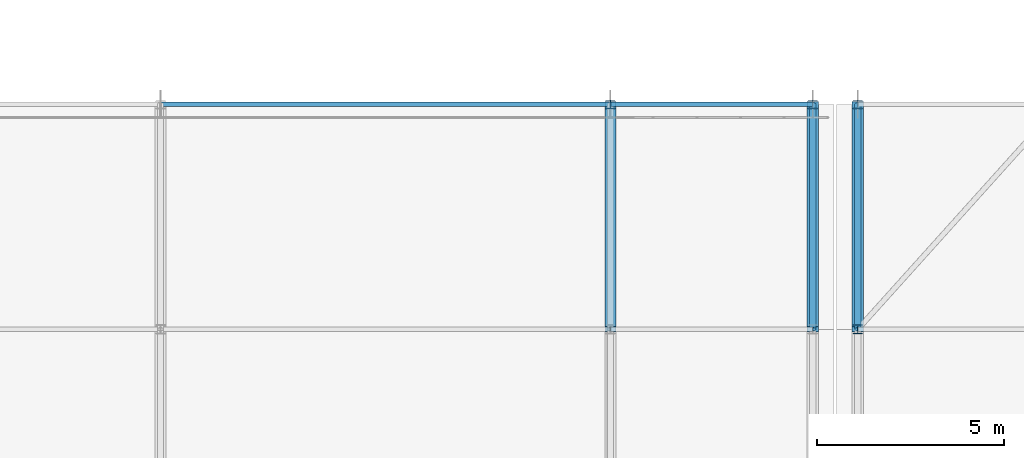
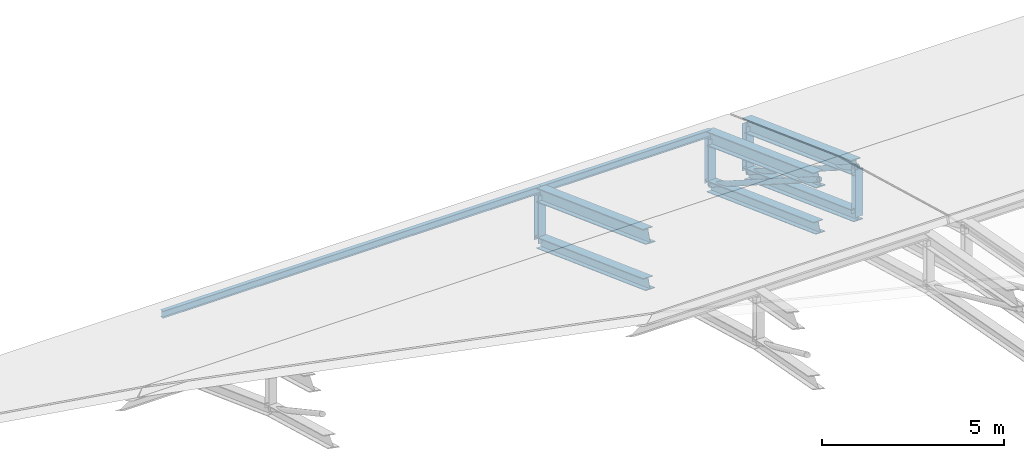
# One storey, part 46 of 204: 14 members.
"""IFC4 building model written with IfcOpenShell, lengths in metres."""

import ifcopenshell
import ifcopenshell.guid

model = None  # the IFC model being written
_history = None  # IfcOwnerHistory: only IFC2X3 demands one
_inside = {}  # id of a spatial element -> (the spatial element, [elements in it])
_under = {}  # id of a project, library or spatial element -> (it, [spatial elements below it])
_declared = {}  # id of a project -> (the project, [libraries it declares])
_typed = {}  # id of a type object -> (the type object, [elements of that type])
_made_of = {}  # id of a material, layer set ... -> (it, [elements and type objects made of it])


def new_model(schema):
    """Start an empty IFC model of exactly this schema.

    Asked for "IFC4X3", IfcOpenShell would pick the latest addendum, in which some entities
    have other attributes; the version numbers below select the first issue.
    IFC2X3 requires an IfcOwnerHistory on every rooted entity: one is made here for all.
    """
    global model, _history
    if schema == "IFC4X3":
        model = ifcopenshell.file(schema_version=(4, 3, 0, 0))
    else:
        model = ifcopenshell.file(schema=schema)
    _inside.clear()
    _under.clear()
    _declared.clear()
    _typed.clear()
    _made_of.clear()
    _history = None
    if model.schema == "IFC2X3":
        org = make("IfcOrganization", Name="unknown")
        user = make(
            "IfcPersonAndOrganization",
            ThePerson=make("IfcPerson", FamilyName="unknown"),
            TheOrganization=org,
        )
        app = make(
            "IfcApplication",
            ApplicationDeveloper=org,
            Version="unknown",
            ApplicationFullName="unknown",
            ApplicationIdentifier="unknown",
        )
        _history = make(
            "IfcOwnerHistory",
            OwningUser=user,
            OwningApplication=app,
            ChangeAction="ADDED",
            CreationDate=0,
        )
    return model


def make(cls, **values):
    """One entity of the class cls with the attributes given. An attribute that is None is left unset."""
    return model.create_entity(
        cls, **{name: value for name, value in values.items() if value is not None}
    )


def rooted(cls, **values):
    """An entity with a GlobalId (a new one), such as an element, a storey or a relation."""
    return make(cls, GlobalId=ifcopenshell.guid.new(), OwnerHistory=_history, **values)


def si_unit(unit_type, name, prefix=None):
    """IfcSIUnit, for example si_unit("LENGTHUNIT", "METRE", prefix="MILLI")."""
    return make("IfcSIUnit", UnitType=unit_type, Prefix=prefix, Name=name)


def assignment(units):
    """IfcUnitAssignment: the units of a project."""
    return None if units is None else make("IfcUnitAssignment", Units=units)


def point(xyz):
    """IfcCartesianPoint."""
    return None if xyz is None else make("IfcCartesianPoint", Coordinates=xyz)


def direction(xyz):
    """IfcDirection."""
    return None if xyz is None else make("IfcDirection", DirectionRatios=xyz)


def frame(location, z_axis=None, x_axis=None):
    """IfcAxis2Placement3D, a coordinate frame: its origin and axes. An axis left out is left unset."""
    return make(
        "IfcAxis2Placement3D",
        Location=point(location),
        Axis=direction(z_axis),
        RefDirection=direction(x_axis),
    )


def frame_2d(location, x_axis=None):
    """IfcAxis2Placement2D, a coordinate frame in the plane: its origin and x axis."""
    return make(
        "IfcAxis2Placement2D", Location=point(location), RefDirection=direction(x_axis)
    )


def origin():
    """The frame at (0, 0, 0) with its axes left unset."""
    return frame((0.0, 0.0, 0.0))


def origin_2d():
    """The frame at (0, 0) in the plane with its x axis left unset."""
    return frame_2d((0.0, 0.0))


def place(relative_to, where):
    """IfcLocalPlacement: puts the frame where relative to a parent placement (None: the world)."""
    return make(
        "IfcLocalPlacement", PlacementRelTo=relative_to, RelativePlacement=where
    )


def context(
    kind, dimensions, precision=None, world=None, true_north=None, identifier=None
):
    """IfcGeometricRepresentationContext, for example the 3D "Model" context."""
    return make(
        "IfcGeometricRepresentationContext",
        ContextIdentifier=identifier,
        ContextType=kind,
        CoordinateSpaceDimension=dimensions,
        Precision=precision,
        WorldCoordinateSystem=world,
        TrueNorth=true_north,
    )


def subcontext(parent, identifier, kind, view, scale=None):
    """IfcGeometricRepresentationSubContext, for example "Body" below "Model"."""
    return make(
        "IfcGeometricRepresentationSubContext",
        ContextIdentifier=identifier,
        ContextType=kind,
        ParentContext=parent,
        TargetScale=scale,
        TargetView=view,
    )


def project(units=None, contexts=None):
    """IfcProject with its units and contexts."""
    return rooted(
        "IfcProject",
        Name="project",
        RepresentationContexts=contexts,
        UnitsInContext=assignment(units),
    )


def spatial(cls, under=None, at=None, **own):
    """A site, building, storey or space (cls), placed at a placement, below another one or the project."""
    s = rooted(cls, ObjectPlacement=at, **own)
    if under is not None:
        _under.setdefault(under.id(), (under, []))[1].append(s)
    return s


def profile(cls, at=None, kind="AREA", **sizes):
    """A parametric profile (cls). Its sizes go by their IFC names, for example OverallWidth=200.0."""
    return make(cls, ProfileType=kind, Position=at, **sizes)


def hollow_circle(**sizes):
    """IfcCircleHollowProfileDef."""
    return profile("IfcCircleHollowProfileDef", **sizes)


def i_section(**sizes):
    """IfcIShapeProfileDef."""
    return profile("IfcIShapeProfileDef", **sizes)


def extrude(swept, where, along, depth):
    """IfcExtrudedAreaSolid: the profile swept, set in the frame where, extruded along a direction by depth."""
    return make(
        "IfcExtrudedAreaSolid",
        SweptArea=swept,
        Position=where,
        ExtrudedDirection=direction(along),
        Depth=depth,
    )


def shape(context_of_items, identifier, shape_type, items):
    """IfcShapeRepresentation: the items that make up one representation, for example the "Body"."""
    return make(
        "IfcShapeRepresentation",
        ContextOfItems=context_of_items,
        RepresentationIdentifier=identifier,
        RepresentationType=shape_type,
        Items=items,
    )


def material(Name=None, Category=None):
    """IfcMaterial."""
    return make("IfcMaterial", Name=Name, Category=Category)


def material_profile(
    of_material, cross_section, Name=None, Category=None, Priority=None
):
    """IfcMaterialProfile: a cross section and its material."""
    return make(
        "IfcMaterialProfile",
        Name=Name,
        Material=of_material,
        Profile=cross_section,
        Priority=Priority,
        Category=Category,
    )


def profile_set(profiles, Name=None, composite=None):
    """IfcMaterialProfileSet."""
    return make(
        "IfcMaterialProfileSet",
        Name=Name,
        MaterialProfiles=profiles,
        CompositeProfile=composite,
    )


def made_of(thing, what):
    """Note that an element or type object is made of a material, layer set ...; save() writes the relation."""
    if what is not None:
        _made_of.setdefault(what.id(), (what, []))[1].append(thing)
    return thing


def type_object(cls, material=None, **own):
    """A type object (cls), such as IfcWallType, which elements share."""
    return made_of(rooted(cls, **own), material)


def element(
    cls,
    number,
    at=None,
    inside=None,
    cuts=None,
    type_object=None,
    material=None,
    context=None,
    identifier="Body",
    shape_type=None,
    held_by="IfcProductDefinitionShape",
    body=None,
    shapes=None,
    **own,
):
    """One element of the class cls, such as IfcWall. Its Tag is "e" and its number.

    at: its placement. inside: the storey or other place that contains it. cuts: it is an
    opening in that element (IfcRelVoidsElement). A single representation is given by context,
    identifier, shape_type and body (its items); several are given by shapes. held_by: the class
    of the entity that holds the representations. save() writes the other relations.
    """
    e = rooted(cls, Tag="e%d" % number, ObjectPlacement=at, **own)
    if body is not None:
        shapes = [shape(context, identifier, shape_type, body)]
    if shapes is not None:
        e.Representation = make(held_by, Representations=shapes)
    if inside is not None:
        _inside.setdefault(inside.id(), (inside, []))[1].append(e)
    if cuts is not None:
        rooted(
            "IfcRelVoidsElement", RelatingBuildingElement=cuts, RelatedOpeningElement=e
        )
    if type_object is not None:
        _typed.setdefault(type_object.id(), (type_object, []))[1].append(e)
    return made_of(e, material)


def aggregate(whole, parts):
    """IfcRelAggregates: a whole, such as a stair, and the parts it consists of."""
    return rooted("IfcRelAggregates", RelatingObject=whole, RelatedObjects=parts)


def save(model, path):
    """Write the relations noted so far, then the file.

    IfcRelAggregates (storeys below a building ...), IfcRelContainedInSpatialStructure (elements
    in a storey), IfcRelDefinesByType, IfcRelAssociatesMaterial and IfcRelDeclares: one each for
    every whole, place, type object, material and project.
    """
    for whole, parts in _under.values():
        aggregate(whole, parts)
    for where, things in _inside.values():
        rooted(
            "IfcRelContainedInSpatialStructure",
            RelatedElements=things,
            RelatingStructure=where,
        )
    for kind, things in _typed.values():
        rooted("IfcRelDefinesByType", RelatedObjects=things, RelatingType=kind)
    for what, things in _made_of.values():
        rooted("IfcRelAssociatesMaterial", RelatedObjects=things, RelatingMaterial=what)
    for by, libraries in _declared.values():
        rooted("IfcRelDeclares", RelatingContext=by, RelatedDefinitions=libraries)
    model.write(path)


model = new_model("IFC4")

# Units and contexts
model_context = context("Model", 3, precision=1e-05, world=origin(), true_north=direction((0.0, 1.0)))
body_context = subcontext(model_context, "Body", "Model", "MODEL_VIEW")
ifc_project = project(units=[si_unit("LENGTHUNIT", "METRE"), si_unit("AREAUNIT", "SQUARE_METRE"), si_unit("VOLUMEUNIT", "CUBIC_METRE"), si_unit("PLANEANGLEUNIT", "RADIAN"), si_unit("MASSUNIT", "GRAM", prefix="KILO")], contexts=[model_context])

# Site, building, storey
site_placement = place(None, origin())
site = spatial("IfcSite", under=ifc_project, at=site_placement, CompositionType="ELEMENT")
building_placement = place(site_placement, origin())
building = spatial("IfcBuilding", under=site, at=building_placement, Name="Zilviju Railside Exhibition Hall", CompositionType="ELEMENT")
storey_placement = place(building_placement, frame((0.0, 0.0, 21.0)))
storey = spatial("IfcBuildingStorey", under=building, at=storey_placement, Name="RF", CompositionType="ELEMENT", Elevation=21.0)

# Members
ifc_material = material(Name="Steel S355J2", Category="steel")
ifc_material_profile_1 = material_profile(ifc_material, hollow_circle(Radius=0.084228515625, WallThickness=0.008056640625, at=origin_2d()), Name="CHS 168.3x8.0")
ifc_profile_set_1 = profile_set([ifc_material_profile_1], Name="Steel S355J2")
member_type_1 = type_object("IfcMemberType", Name="TR-BR-CHS168", PredefinedType="BRACE", material=ifc_profile_set_1)
for number, where, z_axis, x_axis, name in (
    (1, (125.39990234375, 48.0, -3.987548828125), (0.0, 0.844023315733, -0.536306481872), (-1.0, 0.0, 0.0), "V1 Parabolic Arch Web Diagonal X=125.4 P9"),
    (2, (126.60009765625, 48.0, -3.987548828125), (0.0, 0.844023315733, -0.536306481872), (-1.0, 0.0, 0.0), "V1 Parabolic Arch Web Diagonal X=126.6 P9"),
):
    element("IfcMember", number, at=place(storey_placement, frame(where, z_axis=z_axis, x_axis=x_axis)), inside=storey, type_object=member_type_1, Name=name, PredefinedType="BRACE", context=body_context, shape_type="SweptSolid", body=[
        extrude(hollow_circle(Radius=0.084228515625, WallThickness=0.008056640625, at=origin_2d()), origin(), (0.0, 0.0, 1.0), 7.10888671875),
    ])
ifc_material_profile_2 = material_profile(ifc_material, i_section(OverallWidth=0.300048828125, OverallDepth=0.360107421875, WebThickness=0.012451171875, FlangeThickness=0.0224609375, at=origin_2d()), Name="HEB 360")
ifc_profile_set_2 = profile_set([ifc_material_profile_2], Name="Steel S355J2")
member_type_2 = type_object("IfcMemberType", Name="TR-CH-HEB360", PredefinedType="CHORD", material=ifc_profile_set_2)
for number, where, z_axis, x_axis, name in (
    (3, (120.0, 48.0, -5.587646484375), (0.0, 0.938247917098, -0.345963648468), (-1.0, 0.0, 0.0), "V1 Parabolic Arch Bottom Chord X=120.0 P9"),
    (4, (125.39990234375, 48.0, -5.587646484375), (0.0, 0.938247917098, -0.345963648468), (-1.0, 0.0, 0.0), "V1 Parabolic Arch Bottom Chord X=125.4 P9"),
    (5, (126.60009765625, 48.0, -5.587646484375), (0.0, 0.938247917098, -0.345963648468), (-1.0, 0.0, 0.0), "V1 Parabolic Arch Bottom Chord X=126.6 P9"),
):
    element("IfcMember", number, at=place(storey_placement, frame(where, z_axis=z_axis, x_axis=x_axis)), inside=storey, type_object=member_type_2, Name=name, PredefinedType="CHORD", context=body_context, shape_type="SweptSolid", body=[
        extrude(i_section(OverallWidth=0.300048828125, OverallDepth=0.360107421875, WebThickness=0.012451171875, FlangeThickness=0.0224609375, at=origin_2d()), origin(), (0.0, 0.0, 1.0), 6.39501953125),
    ])
ifc_material_profile_3 = material_profile(ifc_material, i_section(OverallWidth=0.300048828125, OverallDepth=0.449951171875, WebThickness=0.013916015625, FlangeThickness=0.02587890625, at=origin_2d()), Name="HEB 450")
ifc_profile_set_3 = profile_set([ifc_material_profile_3], Name="Steel S355J2")
member_type_3 = type_object("IfcMemberType", Name="TR-CH-HEB450", PredefinedType="CHORD", material=ifc_profile_set_3)
for number, where, z_axis, x_axis, name in (
    (6, (120.0, 48.0, -3.987548828125), (0.0, 0.938247917098, -0.345963648468), (-1.0, 0.0, 0.0), "V1 Parabolic Arch Top Chord X=120.0 P9"),
    (7, (125.39990234375, 48.0, -3.987548828125), (0.0, 0.938247917098, -0.345963648468), (-1.0, 0.0, 0.0), "V1 Parabolic Arch Top Chord X=125.4 P9"),
    (8, (126.60009765625, 48.0, -3.987548828125), (0.0, 0.938247917098, -0.345963648468), (-1.0, 0.0, 0.0), "V1 Parabolic Arch Top Chord X=126.6 P9"),
):
    element("IfcMember", number, at=place(storey_placement, frame(where, z_axis=z_axis, x_axis=x_axis)), inside=storey, type_object=member_type_3, Name=name, PredefinedType="CHORD", context=body_context, shape_type="SweptSolid", body=[
        extrude(i_section(OverallWidth=0.300048828125, OverallDepth=0.449951171875, WebThickness=0.013916015625, FlangeThickness=0.02587890625, at=origin_2d()), origin(), (0.0, 0.0, 1.0), 6.39501953125),
    ])
ifc_material_profile_4 = material_profile(ifc_material, i_section(OverallWidth=0.239990234375, OverallDepth=0.22998046875, WebThickness=0.007568359375, FlangeThickness=0.011962890625, at=origin_2d()), Name="HEA 240")
ifc_profile_set_4 = profile_set([ifc_material_profile_4], Name="Steel S355J2")
member_type_4 = type_object("IfcMemberType", Name="TR-POST-HEA240", PredefinedType="POST", material=ifc_profile_set_4)
for number, where, z_axis, x_axis, name in (
    (9, (120.0, 54.0, -7.800048828125), (0.0, 0.0, 1.0), (1.0, 0.0, 0.0), "V1 Parabolic Arch Web Post X=120.0 N9"),
    (10, (125.39990234375, 54.0, -7.800048828125), (0.0, 0.0, 1.0), (1.0, 0.0, 0.0), "V1 Parabolic Arch Web Post X=125.4 N9"),
    (11, (126.60009765625, 48.0, -5.587646484375), (0.0, 0.0, 1.0), (1.0, 0.0, 0.0), "V1 Parabolic Arch Web Post X=126.6 N8"),
    (12, (126.60009765625, 54.0, -7.800048828125), (0.0, 0.0, 1.0), (1.0, 0.0, 0.0), "V1 Parabolic Arch Web Post X=126.6 N9"),
):
    element("IfcMember", number, at=place(storey_placement, frame(where, z_axis=z_axis, x_axis=x_axis)), inside=storey, type_object=member_type_4, Name=name, PredefinedType="POST", context=body_context, shape_type="SweptSolid", body=[
        extrude(i_section(OverallWidth=0.239990234375, OverallDepth=0.22998046875, WebThickness=0.007568359375, FlangeThickness=0.011962890625, at=origin_2d()), origin(), (0.0, 0.0, 1.0), 1.60009765625),
    ])
ifc_material_profile_5 = material_profile(ifc_material, i_section(OverallWidth=0.1201171875, OverallDepth=0.239990234375, WebThickness=0.006103515625, FlangeThickness=0.009765625, at=origin_2d()), Name="IPE 240")
ifc_profile_set_5 = profile_set([ifc_material_profile_5], Name="Steel S355J2")
member_type_5 = type_object("IfcMemberType", Name="TR-PUR-IPE240", PredefinedType="PURLIN", material=ifc_profile_set_5)
member_1_placement = place(storey_placement, frame((108.0, 54.0, -6.05517578125), z_axis=(1.0, 0.0, 0.0), x_axis=(0.0, 1.0, 0.0)))
element("IfcMember", 13, at=member_1_placement, inside=storey, type_object=member_type_5, Name="V1 Barrel Vault Roof Purlin Y=54.0 (108.0..120.0)", PredefinedType="PURLIN", context=body_context, shape_type="SweptSolid", body=[
    extrude(i_section(OverallWidth=0.1201171875, OverallDepth=0.239990234375, WebThickness=0.006103515625, FlangeThickness=0.009765625, at=origin_2d()), origin(), (0.0, 0.0, 1.0), 12.0),
])
member_2_placement = place(storey_placement, frame((120.0, 54.0, -6.05517578125), z_axis=(1.0, 0.0, 0.0), x_axis=(0.0, 1.0, 0.0)))
element("IfcMember", 14, at=member_2_placement, inside=storey, type_object=member_type_5, Name="V1 Barrel Vault Roof Purlin Y=54.0 (120.0..125.4)", PredefinedType="PURLIN", context=body_context, shape_type="SweptSolid", body=[
    extrude(i_section(OverallWidth=0.1201171875, OverallDepth=0.239990234375, WebThickness=0.006103515625, FlangeThickness=0.009765625, at=origin_2d()), origin(), (0.0, 0.0, 1.0), 5.39990234375),
])

save(model, "model.ifc")
